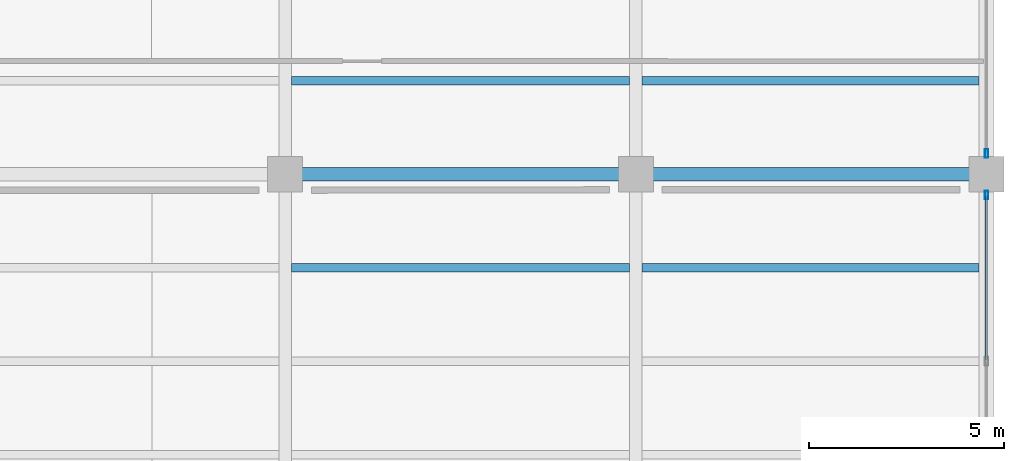
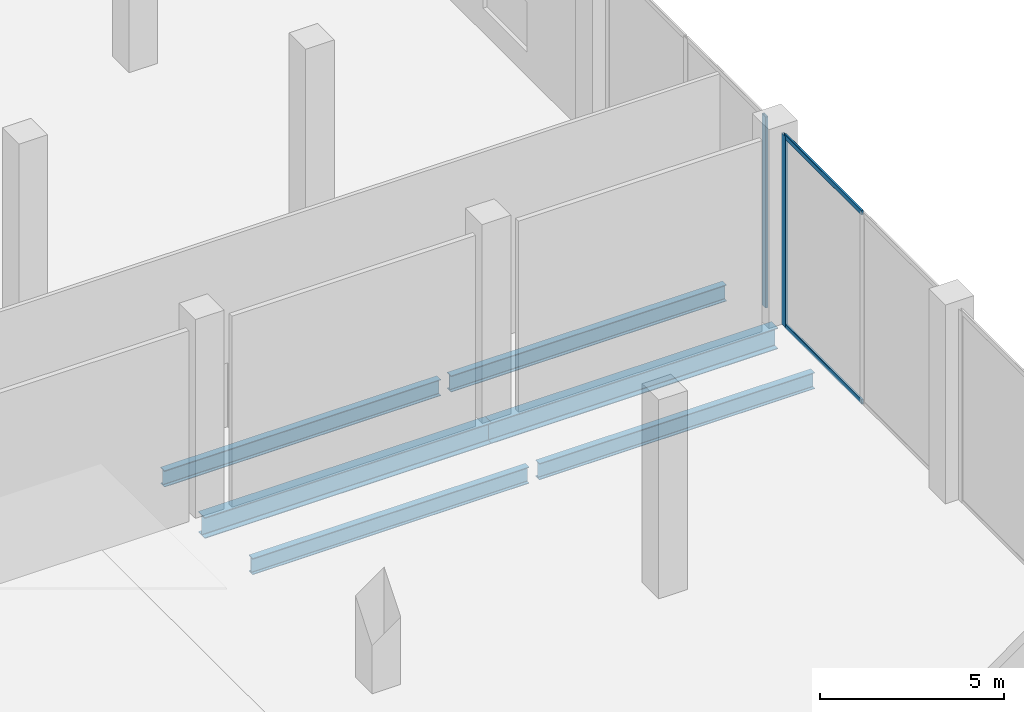
# One storey, part 19 of 45: 6 beams, 4 members, 2 elements without a shape of their own.
"""IFC4 building model written with IfcOpenShell, lengths in metres."""

from ifc_helpers import new_model, si_unit, direction, frame, origin, origin_2d, place, context, subcontext, project, spatial, hollow_rectangle, i_section, extrude, material, layer, layer_set, material_profile, profile_set, type_object, element, aggregate, save


model = new_model("IFC4")

# Units and contexts
model_context = context("Model", 3, precision=1e-05, world=origin(), true_north=direction((0.0, 1.0)))
body_context = subcontext(model_context, "Body", "Model", "MODEL_VIEW")
ifc_project = project(units=[si_unit("LENGTHUNIT", "METRE"), si_unit("AREAUNIT", "SQUARE_METRE"), si_unit("VOLUMEUNIT", "CUBIC_METRE"), si_unit("PLANEANGLEUNIT", "RADIAN"), si_unit("MASSUNIT", "GRAM", prefix="KILO")], contexts=[model_context])

# Site, building, storey
site_placement = place(None, origin())
site = spatial("IfcSite", under=ifc_project, at=site_placement, CompositionType="ELEMENT")
building_placement = place(site_placement, origin())
building = spatial("IfcBuilding", under=site, at=building_placement, Name="Qorvath Tower", CompositionType="ELEMENT")
storey_placement = place(building_placement, origin())
storey = spatial("IfcBuildingStorey", under=building, at=storey_placement, Name="L00", CompositionType="ELEMENT", Elevation=0.0)

# Beams
ifc_material_1 = material(Name="Steel ASTM A992 Grade 50", Category="steel")
ifc_material_profile_1 = material_profile(ifc_material_1, i_section(OverallWidth=0.35595703125, OverallDepth=0.696044921875, WebThickness=0.015380859375, FlangeThickness=0.02490234375, FilletRadius=0.01806640625, at=origin_2d()), Name="W27x146")
ifc_profile_set_1 = profile_set([ifc_material_profile_1], Name="Steel ASTM A992 Grade 50")
beam_type_1 = type_object("IfcBeamType", Name="BM-FG4", PredefinedType="BEAM", material=ifc_profile_set_1)
for number, where, z_axis, x_axis, name in (
    (1, (59.39990234375, 9.60009765625, -0.64794921875), (1.0, 0.0, 0.0), (0.0, 1.0, 0.0), "Library E-W Girder L00-6-4"),
    (2, (68.39990234375, 9.60009765625, -0.64794921875), (1.0, 0.0, 0.0), (0.0, 1.0, 0.0), "Library E-W Girder L00-6-5"),
):
    element("IfcBeam", number, at=place(storey_placement, frame(where, z_axis=z_axis, x_axis=x_axis)), inside=storey, type_object=beam_type_1, Name=name, PredefinedType="BEAM", context=body_context, shape_type="SweptSolid", body=[
        extrude(i_section(OverallWidth=0.35595703125, OverallDepth=0.696044921875, WebThickness=0.015380859375, FlangeThickness=0.02490234375, FilletRadius=0.01806640625, at=origin_2d()), origin(), (0.0, 0.0, 1.0), 9.0),
    ])
ifc_material_2 = material(Name="Steel ASTM A992 Grade 50", Category="steel")
ifc_material_profile_2 = material_profile(ifc_material_2, i_section(OverallWidth=0.2119140625, OverallDepth=0.5439453125, WebThickness=0.01318359375, FlangeThickness=0.021240234375, FilletRadius=0.013916015625, at=origin_2d()), Name="W21x83")
ifc_profile_set_2 = profile_set([ifc_material_profile_2], Name="Steel ASTM A992 Grade 50")
beam_type_2 = type_object("IfcBeamType", Name="BM-FJ1", PredefinedType="JOIST", material=ifc_profile_set_2)
beam_1_placement = place(storey_placement, frame((59.560546875, 7.199951171875, -0.572021484375), z_axis=(1.0, 0.0, 0.0), x_axis=(0.0, 1.0, 0.0)))
element("IfcBeam", 3, at=beam_1_placement, inside=storey, type_object=beam_type_2, Name="Library Stack Joist L00-5.3-4", PredefinedType="JOIST", context=body_context, shape_type="SweptSolid", body=[
    extrude(i_section(OverallWidth=0.2119140625, OverallDepth=0.5439453125, WebThickness=0.01318359375, FlangeThickness=0.021240234375, FilletRadius=0.013916015625, at=origin_2d()), origin(), (0.0, 0.0, 1.0), 8.678955078125),
])
beam_2_placement = place(storey_placement, frame((68.560546875, 7.199951171875, -0.572021484375), z_axis=(1.0, 0.0, 0.0), x_axis=(0.0, 1.0, 0.0)))
element("IfcBeam", 4, at=beam_2_placement, inside=storey, type_object=beam_type_2, Name="Library Stack Joist L00-5.3-5", PredefinedType="JOIST", context=body_context, shape_type="SweptSolid", body=[
    extrude(i_section(OverallWidth=0.2119140625, OverallDepth=0.5439453125, WebThickness=0.01318359375, FlangeThickness=0.021240234375, FilletRadius=0.013916015625, at=origin_2d()), origin(), (0.0, 0.0, 1.0), 8.65087890625),
])
beam_3_placement = place(storey_placement, frame((59.560546875, 12.0, -0.572021484375), z_axis=(1.0, 0.0, 0.0), x_axis=(0.0, 1.0, 0.0)))
element("IfcBeam", 5, at=beam_3_placement, inside=storey, type_object=beam_type_2, Name="Library Stack Joist L00-6.1-4", PredefinedType="JOIST", context=body_context, shape_type="SweptSolid", body=[
    extrude(i_section(OverallWidth=0.2119140625, OverallDepth=0.5439453125, WebThickness=0.01318359375, FlangeThickness=0.021240234375, FilletRadius=0.013916015625, at=origin_2d()), origin(), (0.0, 0.0, 1.0), 8.678955078125),
])
beam_4_placement = place(storey_placement, frame((68.560546875, 12.0, -0.572021484375), z_axis=(1.0, 0.0, 0.0), x_axis=(0.0, 1.0, 0.0)))
element("IfcBeam", 6, at=beam_4_placement, inside=storey, type_object=beam_type_2, Name="Library Stack Joist L00-6.1-5", PredefinedType="JOIST", context=body_context, shape_type="SweptSolid", body=[
    extrude(i_section(OverallWidth=0.2119140625, OverallDepth=0.5439453125, WebThickness=0.01318359375, FlangeThickness=0.021240234375, FilletRadius=0.013916015625, at=origin_2d()), origin(), (0.0, 0.0, 1.0), 8.65087890625),
])

# Curtain wall, member
ifc_material_3 = material(Name="Anodised aluminium and triple low-E glass", Category="aluminium")
ifc_layer = layer(ifc_material_3, 0.179931640625)
ifc_layer_set = layer_set([ifc_layer], Name="CW-SYS-6")
curtain_wall_type = type_object("IfcCurtainWallType", Name="CW-SYS-6", PredefinedType="NOTDEFINED", material=ifc_layer_set)
curtain_wall_1_placement = place(storey_placement, origin())
curtain_wall_1 = element("IfcCurtainWall", 7, at=curtain_wall_1_placement, inside=storey, type_object=curtain_wall_type, Name="Curtain Wall CW-6 CW-LIB-E-L00-5", PredefinedType="NOTDEFINED")
ifc_material_4 = material(Name="Anodised aluminium 6063-T6", Category="aluminium")
ifc_material_profile_3 = material_profile(ifc_material_4, hollow_rectangle(XDim=0.080078125, YDim=0.219970703125, WallThickness=0.00439453125, InnerFilletRadius=0.00439453125, OuterFilletRadius=0.009033203125, at=origin_2d()), Name="CWM LIB 220x80")
ifc_profile_set_3 = profile_set([ifc_material_profile_3], Name="Anodised aluminium 6063-T6")
member_type_1 = type_object("IfcMemberType", Name="CWM-LIB", PredefinedType="MULLION", material=ifc_profile_set_3)
member_1_placement = place(storey_placement, frame((77.39990234375, 9.06494140625, 0.0), z_axis=(0.0, 0.0, 1.0), x_axis=(-1.0, 0.0, 0.0)))
member_1 = element("IfcMember", 8, at=member_1_placement, type_object=member_type_1, Name="CW-6 mullion 3", PredefinedType="MULLION", context=body_context, shape_type="SweptSolid", body=[
    extrude(hollow_rectangle(XDim=0.080078125, YDim=0.219970703125, WallThickness=0.00439453125, InnerFilletRadius=0.00439453125, OuterFilletRadius=0.009033203125, at=origin_2d()), origin(), (0.0, 0.0, 1.0), 6.340087890625),
])

curtain_wall_2_placement = place(storey_placement, origin())
curtain_wall_2 = element("IfcCurtainWall", 9, at=curtain_wall_2_placement, inside=storey, type_object=curtain_wall_type, Name="Curtain Wall CW-6 CW-LIB-E-L00-6", PredefinedType="NOTDEFINED")
member_2_placement = place(storey_placement, frame((77.39990234375, 10.135009765625, 0.0), z_axis=(0.0, 0.0, 1.0), x_axis=(-1.0, 0.0, 0.0)))
member_2 = element("IfcMember", 10, at=member_2_placement, type_object=member_type_1, Name="CW-6 mullion 1", PredefinedType="MULLION", context=body_context, shape_type="SweptSolid", body=[
    extrude(hollow_rectangle(XDim=0.080078125, YDim=0.219970703125, WallThickness=0.00439453125, InnerFilletRadius=0.00439453125, OuterFilletRadius=0.009033203125, at=origin_2d()), origin(), (0.0, 0.0, 1.0), 6.340087890625),
])
aggregate(curtain_wall_2, [member_2])

# Member
ifc_material_5 = material(Name="Anodised aluminium 6063-T6", Category="aluminium")
ifc_material_profile_4 = material_profile(ifc_material_5, hollow_rectangle(XDim=0.06494140625, YDim=0.159912109375, WallThickness=0.00341796875, InnerFilletRadius=0.00341796875, OuterFilletRadius=0.007080078125, at=origin_2d()), Name="CWT 160x65")
ifc_profile_set_4 = profile_set([ifc_material_profile_4], Name="Anodised aluminium 6063-T6")
member_type_2 = type_object("IfcMemberType", Name="CWT-160", PredefinedType="USERDEFINED", material=ifc_profile_set_4)
member_3_placement = place(storey_placement, frame((77.39990234375, 4.840087890625, 0.032470703125), z_axis=(0.0, 1.0, 0.0), x_axis=(-1.0, 0.0, 0.0)))
member_3 = element("IfcMember", 11, at=member_3_placement, type_object=member_type_2, Name="CW-6 transom 2.1", ObjectType="TRANSOM", PredefinedType="USERDEFINED", context=body_context, shape_type="SweptSolid", body=[
    extrude(hollow_rectangle(XDim=0.06494140625, YDim=0.159912109375, WallThickness=0.00341796875, InnerFilletRadius=0.00341796875, OuterFilletRadius=0.007080078125, at=origin_2d()), origin(), (0.0, 0.0, 1.0), 4.184814453125),
])

member_4_placement = place(storey_placement, frame((77.39990234375, 4.840087890625, 6.3076171875), z_axis=(0.0, 1.0, 0.0), x_axis=(-1.0, 0.0, 0.0)))
member_4 = element("IfcMember", 12, at=member_4_placement, type_object=member_type_2, Name="CW-6 transom 2.2", ObjectType="TRANSOM", PredefinedType="USERDEFINED", context=body_context, shape_type="SweptSolid", body=[
    extrude(hollow_rectangle(XDim=0.06494140625, YDim=0.159912109375, WallThickness=0.00341796875, InnerFilletRadius=0.00341796875, OuterFilletRadius=0.007080078125, at=origin_2d()), origin(), (0.0, 0.0, 1.0), 4.184814453125),
])

aggregate(curtain_wall_1, [member_1, member_3, member_4])

save(model, "model.ifc")
